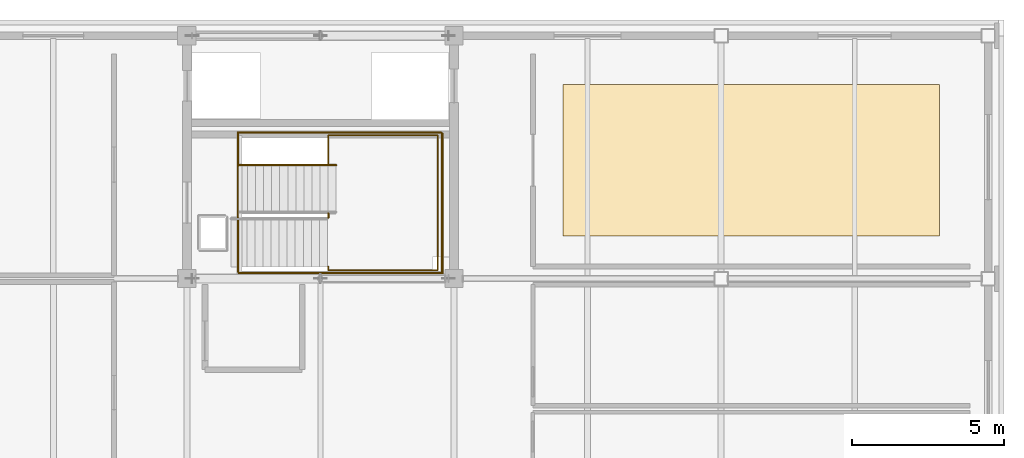
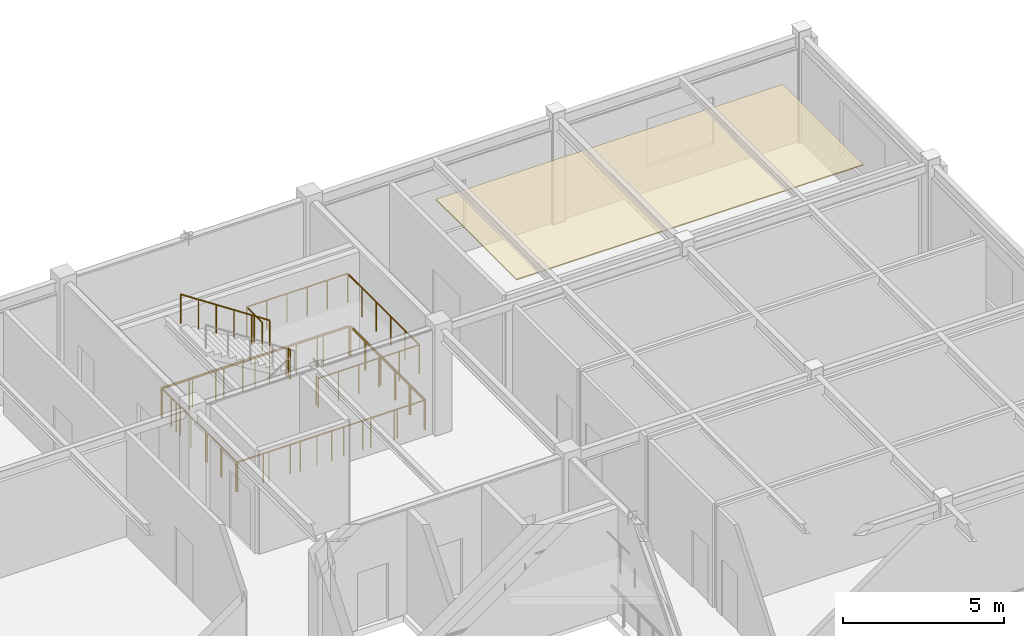
# One storey, part 18 of 18: 6 railings, 1 covering.
"""IFC4 building model written with IfcOpenShell, lengths in metres."""

from ifc_helpers import new_model, si_unit, direction, frame, origin, origin_2d, place, context, subcontext, project, spatial, rectangle, circle, extrude, material, layer, layer_set, type_object, element, save


model = new_model("IFC4")

# Units and contexts
model_context = context("Model", 3, precision=1e-05, world=origin(), true_north=direction((0.0, 1.0)))
body_context = subcontext(model_context, "Body", "Model", "MODEL_VIEW")
ifc_project = project(units=[si_unit("LENGTHUNIT", "METRE"), si_unit("AREAUNIT", "SQUARE_METRE"), si_unit("VOLUMEUNIT", "CUBIC_METRE"), si_unit("PLANEANGLEUNIT", "RADIAN"), si_unit("MASSUNIT", "GRAM", prefix="KILO")], contexts=[model_context])

# Site, building, storey
site_placement = place(None, origin())
site = spatial("IfcSite", under=ifc_project, at=site_placement, CompositionType="ELEMENT")
building_placement = place(site_placement, origin())
building = spatial("IfcBuilding", under=site, at=building_placement, Name="Zhaolan Boulevard Law Courts", CompositionType="ELEMENT")
storey_placement = place(building_placement, frame((0.0, 0.0, 33.0)))
storey = spatial("IfcBuildingStorey", under=building, at=storey_placement, Name="L07", CompositionType="ELEMENT", Elevation=33.0)

# Covering
ifc_material_1 = material(Name="Perforated acoustic gypsum and timber-slat ceiling", Category="wood")
ifc_layer = layer(ifc_material_1, 0.0400390625)
ifc_layer_set = layer_set([ifc_layer])
covering_type = type_object("IfcCoveringType", Name="ACOUSTIC CEILING 40", PredefinedType="CEILING", material=ifc_layer_set)
covering_placement = place(storey_placement, frame((36.199951171875, 65.89990234375, 3.510009765625), z_axis=(0.0, 0.0, 1.0), x_axis=(1.0, 0.0, 0.0)))
element("IfcCovering", 1, at=covering_placement, inside=storey, type_object=covering_type, Name="Acoustic Baffle Ceiling CLG-15", PredefinedType="CEILING", context=body_context, shape_type="SweptSolid", body=[
    extrude(rectangle(XDim=12.39990234375, YDim=5.0, at=origin_2d()), origin(), (0.0, 0.0, 1.0), 0.0400390625),
])

# Railings
ifc_material_2 = material(Name="Powder-coated steel and tempered laminated glass", Category="steel")
railing_type_1 = type_object("IfcRailingType", Name="INTERIOR GUARDRAIL 1150", PredefinedType="GUARDRAIL", material=ifc_material_2)
railing_1_placement = place(storey_placement, frame((19.31005859375, 62.169921875, 0.0)))
element("IfcRailing", 2, at=railing_1_placement, inside=storey, type_object=railing_type_1, Name="Atrium Gallery Guardrail VG-7-V5-7A", PredefinedType="GUARDRAIL", context=body_context, shape_type="SweptSolid", body=[
    extrude(circle(Radius=0.02490234375, at=origin_2d()), frame((0.0, 0.0, 1.125), z_axis=(1.0, 0.0, 0.0), x_axis=(0.0, 1.0, 0.0)), (0.0, 0.0, 1.0), 6.719970703125),
    extrude(circle(Radius=0.02490234375, at=origin_2d()), frame((6.719970703125, 0.0, 1.125), z_axis=(0.0, 1.0, 0.0), x_axis=(-1.0, 0.0, 0.0)), (0.0, 0.0, 1.0), 4.6201171875),
    extrude(circle(Radius=0.02099609375, at=origin_2d()), origin(), (0.0, 0.0, 1.0), 1.099853515625),
    extrude(circle(Radius=0.02099609375, at=origin_2d()), frame((1.1201171875, 0.0, 0.0)), (0.0, 0.0, 1.0), 1.099853515625),
    extrude(circle(Radius=0.02099609375, at=origin_2d()), frame((2.239990234375, 0.0, 0.0)), (0.0, 0.0, 1.0), 1.099853515625),
    extrude(circle(Radius=0.02099609375, at=origin_2d()), frame((3.35986328125, 0.0, 0.0)), (0.0, 0.0, 1.0), 1.099853515625),
    extrude(circle(Radius=0.02099609375, at=origin_2d()), frame((4.47998046875, 0.0, 0.0)), (0.0, 0.0, 1.0), 1.099853515625),
    extrude(circle(Radius=0.02099609375, at=origin_2d()), frame((5.60009765625, 0.0, 0.0)), (0.0, 0.0, 1.0), 1.099853515625),
    extrude(circle(Radius=0.02099609375, at=origin_2d()), frame((6.719970703125, 0.0, 0.0)), (0.0, 0.0, 1.0), 1.099853515625),
    extrude(circle(Radius=0.02099609375, at=origin_2d()), frame((6.719970703125, 0.924072265625, 0.0)), (0.0, 0.0, 1.0), 1.099853515625),
    extrude(circle(Radius=0.02099609375, at=origin_2d()), frame((6.719970703125, 1.84814453125, 0.0)), (0.0, 0.0, 1.0), 1.099853515625),
    extrude(circle(Radius=0.02099609375, at=origin_2d()), frame((6.719970703125, 2.77197265625, 0.0)), (0.0, 0.0, 1.0), 1.099853515625),
    extrude(circle(Radius=0.02099609375, at=origin_2d()), frame((6.719970703125, 3.696044921875, 0.0)), (0.0, 0.0, 1.0), 1.099853515625),
    extrude(circle(Radius=0.02099609375, at=origin_2d()), frame((6.719970703125, 4.6201171875, 0.0)), (0.0, 0.0, 1.0), 1.099853515625),
])
railing_2_placement = place(storey_placement, frame((25.969970703125, 66.830078125, 0.0)))
element("IfcRailing", 3, at=railing_2_placement, inside=storey, type_object=railing_type_1, Name="Atrium Gallery Guardrail VG-7-V5-7B", PredefinedType="GUARDRAIL", context=body_context, shape_type="SweptSolid", body=[
    extrude(circle(Radius=0.02490234375, at=origin_2d()), frame((0.0, 0.0, 1.125), z_axis=(-1.0, 0.0, 0.0), x_axis=(0.0, -1.0, 0.0)), (0.0, 0.0, 1.0), 6.699951171875),
    extrude(circle(Radius=0.02490234375, at=origin_2d()), frame((-6.699951171875, 0.0, 1.125), z_axis=(0.0, -1.0, 0.0), x_axis=(1.0, 0.0, 0.0)), (0.0, 0.0, 1.0), 4.60009765625),
    extrude(circle(Radius=0.02099609375, at=origin_2d()), origin(), (0.0, 0.0, 1.0), 1.099853515625),
    extrude(circle(Radius=0.02099609375, at=origin_2d()), frame((-1.11669921875, 0.0, 0.0)), (0.0, 0.0, 1.0), 1.099853515625),
    extrude(circle(Radius=0.02099609375, at=origin_2d()), frame((-2.2333984375, 0.0, 0.0)), (0.0, 0.0, 1.0), 1.099853515625),
    extrude(circle(Radius=0.02099609375, at=origin_2d()), frame((-3.35009765625, 0.0, 0.0)), (0.0, 0.0, 1.0), 1.099853515625),
    extrude(circle(Radius=0.02099609375, at=origin_2d()), frame((-4.466552734375, 0.0, 0.0)), (0.0, 0.0, 1.0), 1.099853515625),
    extrude(circle(Radius=0.02099609375, at=origin_2d()), frame((-5.583251953125, 0.0, 0.0)), (0.0, 0.0, 1.0), 1.099853515625),
    extrude(circle(Radius=0.02099609375, at=origin_2d()), frame((-6.699951171875, 0.0, 0.0)), (0.0, 0.0, 1.0), 1.099853515625),
    extrude(circle(Radius=0.02099609375, at=origin_2d()), frame((-6.699951171875, -0.919921875, 0.0)), (0.0, 0.0, 1.0), 1.099853515625),
    extrude(circle(Radius=0.02099609375, at=origin_2d()), frame((-6.699951171875, -1.840087890625, 0.0)), (0.0, 0.0, 1.0), 1.099853515625),
    extrude(circle(Radius=0.02099609375, at=origin_2d()), frame((-6.699951171875, -2.760009765625, 0.0)), (0.0, 0.0, 1.0), 1.099853515625),
    extrude(circle(Radius=0.02099609375, at=origin_2d()), frame((-6.699951171875, -3.68017578125, 0.0)), (0.0, 0.0, 1.0), 1.099853515625),
    extrude(circle(Radius=0.02099609375, at=origin_2d()), frame((-6.699951171875, -4.60009765625, 0.0)), (0.0, 0.0, 1.0), 1.099853515625),
])
ifc_material_3 = material(Name="Powder-coated steel baluster guardrail", Category="steel")
railing_type_2 = type_object("IfcRailingType", Name="STAIR WELL GUARDRAIL 1120", PredefinedType="GUARDRAIL", material=ifc_material_3)
railing_3_placement = place(storey_placement, frame((19.2900390625, 64.0, 0.0)))
element("IfcRailing", 4, at=railing_3_placement, inside=storey, type_object=railing_type_2, Name="Stair-Well Floor Guardrail WG-ST02-L06", PredefinedType="GUARDRAIL", context=body_context, shape_type="SweptSolid", body=[
    extrude(circle(Radius=0.02392578125, at=origin_2d()), frame((0.0, 0.0, 1.09619140625), z_axis=(0.0, -1.0, 0.0), x_axis=(1.0, 0.0, 0.0)), (0.0, 0.0, 1.0), 1.800048828125),
    extrude(circle(Radius=0.02392578125, at=origin_2d()), frame((0.0, -1.800048828125, 1.09619140625), z_axis=(1.0, 0.0, 0.0), x_axis=(0.0, 1.0, 0.0)), (0.0, 0.0, 1.0), 6.7099609375),
    extrude(circle(Radius=0.02392578125, at=origin_2d()), frame((6.7099609375, -1.800048828125, 1.09619140625), z_axis=(0.0, 1.0, 0.0), x_axis=(-1.0, 0.0, 0.0)), (0.0, 0.0, 1.0), 4.60009765625),
    extrude(circle(Radius=0.02392578125, at=origin_2d()), frame((6.7099609375, 2.800048828125, 1.09619140625), z_axis=(-1.0, 0.0, 0.0), x_axis=(0.0, -1.0, 0.0)), (0.0, 0.0, 1.0), 6.7099609375),
    extrude(circle(Radius=0.02392578125, at=origin_2d()), frame((0.0, 2.800048828125, 1.09619140625), z_axis=(0.0, -1.0, 0.0), x_axis=(1.0, 0.0, 0.0)), (0.0, 0.0, 1.0), 1.10009765625),
    extrude(circle(Radius=0.02099609375, at=origin_2d()), origin(), (0.0, 0.0, 1.0), 1.072021484375),
    extrude(circle(Radius=0.02099609375, at=origin_2d()), frame((0.0, -0.89990234375, 0.0)), (0.0, 0.0, 1.0), 1.072021484375),
    extrude(circle(Radius=0.02099609375, at=origin_2d()), frame((0.0, -1.800048828125, 0.0)), (0.0, 0.0, 1.0), 1.072021484375),
    extrude(circle(Radius=0.02099609375, at=origin_2d()), frame((0.95849609375, -1.800048828125, 0.0)), (0.0, 0.0, 1.0), 1.072021484375),
    extrude(circle(Radius=0.02099609375, at=origin_2d()), frame((1.917236328125, -1.800048828125, 0.0)), (0.0, 0.0, 1.0), 1.072021484375),
    extrude(circle(Radius=0.02099609375, at=origin_2d()), frame((2.875732421875, -1.800048828125, 0.0)), (0.0, 0.0, 1.0), 1.072021484375),
    extrude(circle(Radius=0.02099609375, at=origin_2d()), frame((3.834228515625, -1.800048828125, 0.0)), (0.0, 0.0, 1.0), 1.072021484375),
    extrude(circle(Radius=0.02099609375, at=origin_2d()), frame((4.792724609375, -1.800048828125, 0.0)), (0.0, 0.0, 1.0), 1.072021484375),
    extrude(circle(Radius=0.02099609375, at=origin_2d()), frame((5.75146484375, -1.800048828125, 0.0)), (0.0, 0.0, 1.0), 1.072021484375),
    extrude(circle(Radius=0.02099609375, at=origin_2d()), frame((6.7099609375, -1.800048828125, 0.0)), (0.0, 0.0, 1.0), 1.072021484375),
    extrude(circle(Radius=0.02099609375, at=origin_2d()), frame((6.7099609375, -0.880126953125, 0.0)), (0.0, 0.0, 1.0), 1.072021484375),
    extrude(circle(Radius=0.02099609375, at=origin_2d()), frame((6.7099609375, 0.0400390625, 0.0)), (0.0, 0.0, 1.0), 1.072021484375),
    extrude(circle(Radius=0.02099609375, at=origin_2d()), frame((6.7099609375, 0.9599609375, 0.0)), (0.0, 0.0, 1.0), 1.072021484375),
    extrude(circle(Radius=0.02099609375, at=origin_2d()), frame((6.7099609375, 1.880126953125, 0.0)), (0.0, 0.0, 1.0), 1.072021484375),
    extrude(circle(Radius=0.02099609375, at=origin_2d()), frame((6.7099609375, 2.800048828125, 0.0)), (0.0, 0.0, 1.0), 1.072021484375),
    extrude(circle(Radius=0.02099609375, at=origin_2d()), frame((5.75146484375, 2.800048828125, 0.0)), (0.0, 0.0, 1.0), 1.072021484375),
    extrude(circle(Radius=0.02099609375, at=origin_2d()), frame((4.792724609375, 2.800048828125, 0.0)), (0.0, 0.0, 1.0), 1.072021484375),
    extrude(circle(Radius=0.02099609375, at=origin_2d()), frame((3.834228515625, 2.800048828125, 0.0)), (0.0, 0.0, 1.0), 1.072021484375),
    extrude(circle(Radius=0.02099609375, at=origin_2d()), frame((2.875732421875, 2.800048828125, 0.0)), (0.0, 0.0, 1.0), 1.072021484375),
    extrude(circle(Radius=0.02099609375, at=origin_2d()), frame((1.917236328125, 2.800048828125, 0.0)), (0.0, 0.0, 1.0), 1.072021484375),
    extrude(circle(Radius=0.02099609375, at=origin_2d()), frame((0.95849609375, 2.800048828125, 0.0)), (0.0, 0.0, 1.0), 1.072021484375),
    extrude(circle(Radius=0.02099609375, at=origin_2d()), frame((0.0, 2.800048828125, 0.0)), (0.0, 0.0, 1.0), 1.072021484375),
    extrude(circle(Radius=0.02099609375, at=origin_2d()), frame((0.0, 2.25, 0.0)), (0.0, 0.0, 1.0), 1.072021484375),
    extrude(circle(Radius=0.02099609375, at=origin_2d()), frame((0.0, 1.699951171875, 0.0)), (0.0, 0.0, 1.0), 1.072021484375),
])
railing_4_placement = place(storey_placement, frame((22.260009765625, 62.39990234375, 2.10009765625)))
element("IfcRailing", 5, at=railing_4_placement, inside=storey, type_object=railing_type_2, Name="Half-Landing Guardrail SG-ST02-L07-M", PredefinedType="GUARDRAIL", context=body_context, shape_type="SweptSolid", body=[
    extrude(circle(Radius=0.02392578125, at=origin_2d()), frame((0.0, 0.0, 1.09619140625), z_axis=(0.0, -1.0, 0.0), x_axis=(1.0, 0.0, 0.0)), (0.0, 0.0, 1.0), 0.119873046875),
    extrude(circle(Radius=0.02392578125, at=origin_2d()), frame((0.0, -0.119873046875, 1.09619140625), z_axis=(1.0, 0.0, 0.0), x_axis=(0.0, 1.0, 0.0)), (0.0, 0.0, 1.0), 3.610107421875),
    extrude(circle(Radius=0.02392578125, at=origin_2d()), frame((3.610107421875, -0.119873046875, 1.09619140625), z_axis=(0.0, 1.0, 0.0), x_axis=(-1.0, 0.0, 0.0)), (0.0, 0.0, 1.0), 4.43994140625),
    extrude(circle(Radius=0.02392578125, at=origin_2d()), frame((3.610107421875, 4.320068359375, 1.09619140625), z_axis=(-1.0, 0.0, 0.0), x_axis=(0.0, -1.0, 0.0)), (0.0, 0.0, 1.0), 3.610107421875),
    extrude(circle(Radius=0.02392578125, at=origin_2d()), frame((0.0, 4.320068359375, 1.09619140625), z_axis=(0.0, -1.0, 0.0), x_axis=(1.0, 0.0, 0.0)), (0.0, 0.0, 1.0), 0.9599609375),
    extrude(circle(Radius=0.02099609375, at=origin_2d()), origin(), (0.0, 0.0, 1.0), 1.072021484375),
    extrude(circle(Radius=0.02099609375, at=origin_2d()), frame((0.0, -0.119873046875, 0.0)), (0.0, 0.0, 1.0), 1.072021484375),
    extrude(circle(Radius=0.02099609375, at=origin_2d()), frame((0.721923828125, -0.119873046875, 0.0)), (0.0, 0.0, 1.0), 1.072021484375),
    extrude(circle(Radius=0.02099609375, at=origin_2d()), frame((1.444091796875, -0.119873046875, 0.0)), (0.0, 0.0, 1.0), 1.072021484375),
    extrude(circle(Radius=0.02099609375, at=origin_2d()), frame((2.166015625, -0.119873046875, 0.0)), (0.0, 0.0, 1.0), 1.072021484375),
    extrude(circle(Radius=0.02099609375, at=origin_2d()), frame((2.88818359375, -0.119873046875, 0.0)), (0.0, 0.0, 1.0), 1.072021484375),
    extrude(circle(Radius=0.02099609375, at=origin_2d()), frame((3.610107421875, -0.119873046875, 0.0)), (0.0, 0.0, 1.0), 1.072021484375),
    extrude(circle(Radius=0.02099609375, at=origin_2d()), frame((3.610107421875, 0.76806640625, 0.0)), (0.0, 0.0, 1.0), 1.072021484375),
    extrude(circle(Radius=0.02099609375, at=origin_2d()), frame((3.610107421875, 1.656005859375, 0.0)), (0.0, 0.0, 1.0), 1.072021484375),
    extrude(circle(Radius=0.02099609375, at=origin_2d()), frame((3.610107421875, 2.544189453125, 0.0)), (0.0, 0.0, 1.0), 1.072021484375),
    extrude(circle(Radius=0.02099609375, at=origin_2d()), frame((3.610107421875, 3.43212890625, 0.0)), (0.0, 0.0, 1.0), 1.072021484375),
    extrude(circle(Radius=0.02099609375, at=origin_2d()), frame((3.610107421875, 4.320068359375, 0.0)), (0.0, 0.0, 1.0), 1.072021484375),
    extrude(circle(Radius=0.02099609375, at=origin_2d()), frame((2.88818359375, 4.320068359375, 0.0)), (0.0, 0.0, 1.0), 1.072021484375),
    extrude(circle(Radius=0.02099609375, at=origin_2d()), frame((2.166015625, 4.320068359375, 0.0)), (0.0, 0.0, 1.0), 1.072021484375),
    extrude(circle(Radius=0.02099609375, at=origin_2d()), frame((1.444091796875, 4.320068359375, 0.0)), (0.0, 0.0, 1.0), 1.072021484375),
    extrude(circle(Radius=0.02099609375, at=origin_2d()), frame((0.721923828125, 4.320068359375, 0.0)), (0.0, 0.0, 1.0), 1.072021484375),
    extrude(circle(Radius=0.02099609375, at=origin_2d()), frame((0.0, 4.320068359375, 0.0)), (0.0, 0.0, 1.0), 1.072021484375),
    extrude(circle(Radius=0.02099609375, at=origin_2d()), frame((0.0, 3.840087890625, 0.0)), (0.0, 0.0, 1.0), 1.072021484375),
    extrude(circle(Radius=0.02099609375, at=origin_2d()), frame((0.0, 3.360107421875, 0.0)), (0.0, 0.0, 1.0), 1.072021484375),
])
railing_5_placement = place(storey_placement, frame((22.260009765625, 64.010009765625, 2.10009765625)))
element("IfcRailing", 6, at=railing_5_placement, inside=storey, type_object=railing_type_2, Name="Half-Landing Well Guardrail SG-ST02-L07-W", PredefinedType="GUARDRAIL", context=body_context, shape_type="SweptSolid", body=[
    extrude(circle(Radius=0.02392578125, at=origin_2d()), frame((0.0, 0.0, 1.09619140625), z_axis=(0.0, 1.0, 0.0), x_axis=(-1.0, 0.0, 0.0)), (0.0, 0.0, 1.0), 0.139892578125),
    extrude(circle(Radius=0.02099609375, at=origin_2d()), origin(), (0.0, 0.0, 1.0), 1.072021484375),
    extrude(circle(Radius=0.02099609375, at=origin_2d()), frame((0.0, 0.139892578125, 0.0)), (0.0, 0.0, 1.0), 1.072021484375),
])
railing_6_placement = place(storey_placement, frame((22.514892578125, 65.739990234375, 2.10009765625)))
element("IfcRailing", 7, at=railing_6_placement, inside=storey, type_object=railing_type_2, Name="Flight Guardrail SG-ST02-L07-F2", PredefinedType="GUARDRAIL", context=body_context, shape_type="SweptSolid", body=[
    extrude(circle(Radius=0.02392578125, at=origin_2d()), frame((0.0, 0.0, 1.09619140625), z_axis=(-0.834476838559, 0.0, 0.551043016387), x_axis=(0.0, -1.0, 0.0)), (0.0, 0.0, 1.0), 3.810791015625),
    extrude(circle(Radius=0.02099609375, at=origin_2d()), origin(), (0.0, 0.0, 1.0), 1.072021484375),
    extrude(circle(Radius=0.02099609375, at=origin_2d()), frame((-0.635986328125, 0.0, 0.419921875)), (0.0, 0.0, 1.0), 1.072021484375),
    extrude(circle(Radius=0.02099609375, at=origin_2d()), frame((-1.27197265625, 0.0, 0.83984375)), (0.0, 0.0, 1.0), 1.072021484375),
    extrude(circle(Radius=0.02099609375, at=origin_2d()), frame((-1.907958984375, 0.0, 1.260009765625)), (0.0, 0.0, 1.0), 1.072021484375),
    extrude(circle(Radius=0.02099609375, at=origin_2d()), frame((-2.5439453125, 0.0, 1.679931640625)), (0.0, 0.0, 1.0), 1.072021484375),
    extrude(circle(Radius=0.02099609375, at=origin_2d()), frame((-3.179931640625, 0.0, 2.099853515625)), (0.0, 0.0, 1.0), 1.072021484375),
])

save(model, "model.ifc")
